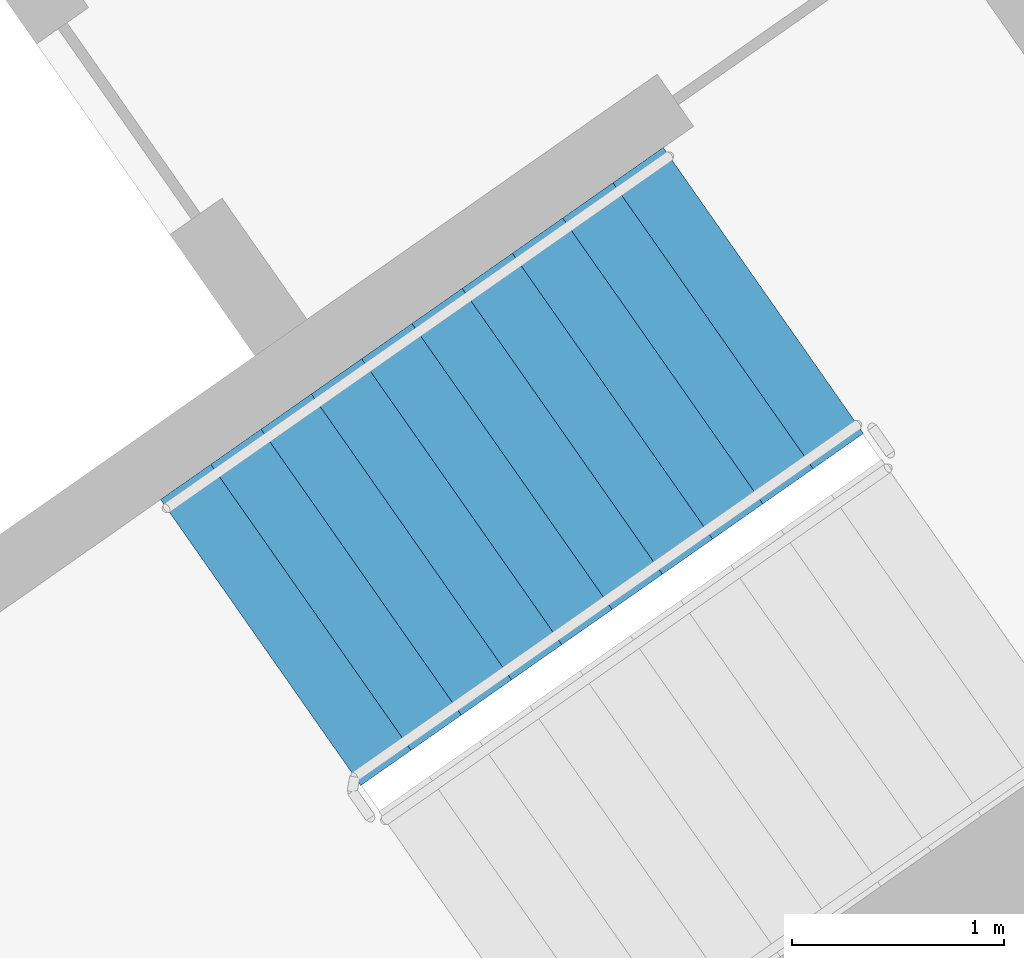
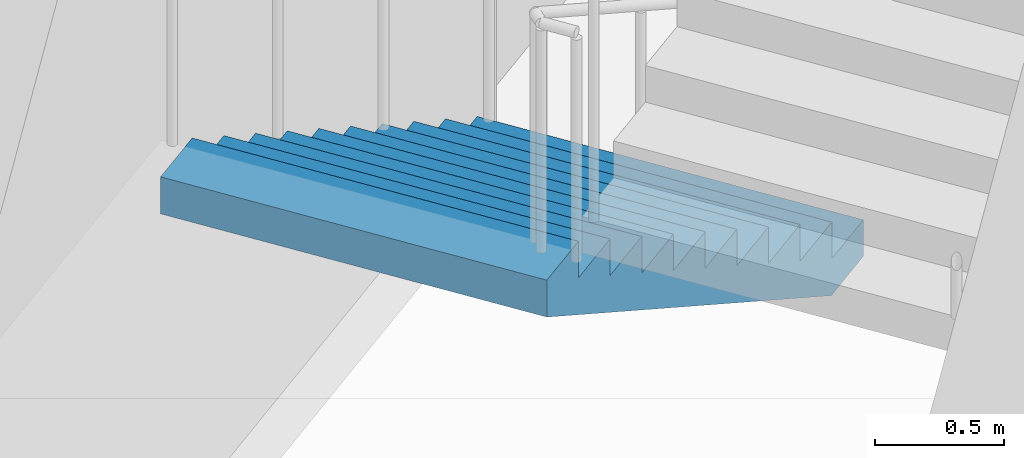
# One storey, part 17 of 33: 1 stair flight, 1 element without a shape of its own.
"""IFC4 building model written with IfcOpenShell, lengths in metres."""

import ifcopenshell
import ifcopenshell.guid

model = None  # the IFC model being written
_history = None  # IfcOwnerHistory: only IFC2X3 demands one
_inside = {}  # id of a spatial element -> (the spatial element, [elements in it])
_under = {}  # id of a project, library or spatial element -> (it, [spatial elements below it])
_declared = {}  # id of a project -> (the project, [libraries it declares])
_typed = {}  # id of a type object -> (the type object, [elements of that type])
_made_of = {}  # id of a material, layer set ... -> (it, [elements and type objects made of it])


def new_model(schema):
    """Start an empty IFC model of exactly this schema.

    Asked for "IFC4X3", IfcOpenShell would pick the latest addendum, in which some entities
    have other attributes; the version numbers below select the first issue.
    IFC2X3 requires an IfcOwnerHistory on every rooted entity: one is made here for all.
    """
    global model, _history
    if schema == "IFC4X3":
        model = ifcopenshell.file(schema_version=(4, 3, 0, 0))
    else:
        model = ifcopenshell.file(schema=schema)
    _inside.clear()
    _under.clear()
    _declared.clear()
    _typed.clear()
    _made_of.clear()
    _history = None
    if model.schema == "IFC2X3":
        org = make("IfcOrganization", Name="unknown")
        user = make(
            "IfcPersonAndOrganization",
            ThePerson=make("IfcPerson", FamilyName="unknown"),
            TheOrganization=org,
        )
        app = make(
            "IfcApplication",
            ApplicationDeveloper=org,
            Version="unknown",
            ApplicationFullName="unknown",
            ApplicationIdentifier="unknown",
        )
        _history = make(
            "IfcOwnerHistory",
            OwningUser=user,
            OwningApplication=app,
            ChangeAction="ADDED",
            CreationDate=0,
        )
    return model


def make(cls, **values):
    """One entity of the class cls with the attributes given. An attribute that is None is left unset."""
    return model.create_entity(
        cls, **{name: value for name, value in values.items() if value is not None}
    )


def rooted(cls, **values):
    """An entity with a GlobalId (a new one), such as an element, a storey or a relation."""
    return make(cls, GlobalId=ifcopenshell.guid.new(), OwnerHistory=_history, **values)


def si_unit(unit_type, name, prefix=None):
    """IfcSIUnit, for example si_unit("LENGTHUNIT", "METRE", prefix="MILLI")."""
    return make("IfcSIUnit", UnitType=unit_type, Prefix=prefix, Name=name)


def assignment(units):
    """IfcUnitAssignment: the units of a project."""
    return None if units is None else make("IfcUnitAssignment", Units=units)


def point(xyz):
    """IfcCartesianPoint."""
    return None if xyz is None else make("IfcCartesianPoint", Coordinates=xyz)


def direction(xyz):
    """IfcDirection."""
    return None if xyz is None else make("IfcDirection", DirectionRatios=xyz)


def frame(location, z_axis=None, x_axis=None):
    """IfcAxis2Placement3D, a coordinate frame: its origin and axes. An axis left out is left unset."""
    return make(
        "IfcAxis2Placement3D",
        Location=point(location),
        Axis=direction(z_axis),
        RefDirection=direction(x_axis),
    )


def origin():
    """The frame at (0, 0, 0) with its axes left unset."""
    return frame((0.0, 0.0, 0.0))


def place(relative_to, where):
    """IfcLocalPlacement: puts the frame where relative to a parent placement (None: the world)."""
    return make(
        "IfcLocalPlacement", PlacementRelTo=relative_to, RelativePlacement=where
    )


def context(
    kind, dimensions, precision=None, world=None, true_north=None, identifier=None
):
    """IfcGeometricRepresentationContext, for example the 3D "Model" context."""
    return make(
        "IfcGeometricRepresentationContext",
        ContextIdentifier=identifier,
        ContextType=kind,
        CoordinateSpaceDimension=dimensions,
        Precision=precision,
        WorldCoordinateSystem=world,
        TrueNorth=true_north,
    )


def subcontext(parent, identifier, kind, view, scale=None):
    """IfcGeometricRepresentationSubContext, for example "Body" below "Model"."""
    return make(
        "IfcGeometricRepresentationSubContext",
        ContextIdentifier=identifier,
        ContextType=kind,
        ParentContext=parent,
        TargetScale=scale,
        TargetView=view,
    )


def project(units=None, contexts=None):
    """IfcProject with its units and contexts."""
    return rooted(
        "IfcProject",
        Name="project",
        RepresentationContexts=contexts,
        UnitsInContext=assignment(units),
    )


def spatial(cls, under=None, at=None, **own):
    """A site, building, storey or space (cls), placed at a placement, below another one or the project."""
    s = rooted(cls, ObjectPlacement=at, **own)
    if under is not None:
        _under.setdefault(under.id(), (under, []))[1].append(s)
    return s


def faces_of(points, faces, orient=None, outer=None):
    """IfcFace entities. A face is a list of loops; a loop is a list of indices into points, from 0.

    orient and outer hold one flag for each loop. By default every Orientation is true, the
    first loop of a face is its IfcFaceOuterBound and the others are IfcFaceBound.
    """
    made = []
    for i, loops in enumerate(faces):
        bounds = []
        for j, loop in enumerate(loops):
            is_outer = j == 0 if outer is None else outer[i][j]
            bounds.append(
                make(
                    "IfcFaceOuterBound" if is_outer else "IfcFaceBound",
                    Bound=make("IfcPolyLoop", Polygon=[points[k] for k in loop]),
                    Orientation=True if orient is None else orient[i][j],
                )
            )
        made.append(make("IfcFace", Bounds=bounds))
    return made


def faceted_brep(points, faces, orient=None, outer=None, voids=None):
    """IfcFacetedBrep: a solid bounded by flat faces; with voids (closed shells), ...WithVoids."""
    shared = [point(p) for p in points]
    hull = make("IfcClosedShell", CfsFaces=faces_of(shared, faces, orient, outer))
    if voids is None:
        return make("IfcFacetedBrep", Outer=hull)
    return make(
        "IfcFacetedBrepWithVoids",
        Outer=hull,
        Voids=[
            make(cls, CfsFaces=faces_of(shared, fs, o, b)) for cls, fs, o, b in voids
        ],
    )


def shape(context_of_items, identifier, shape_type, items):
    """IfcShapeRepresentation: the items that make up one representation, for example the "Body"."""
    return make(
        "IfcShapeRepresentation",
        ContextOfItems=context_of_items,
        RepresentationIdentifier=identifier,
        RepresentationType=shape_type,
        Items=items,
    )


def material(Name=None, Category=None):
    """IfcMaterial."""
    return make("IfcMaterial", Name=Name, Category=Category)


def made_of(thing, what):
    """Note that an element or type object is made of a material, layer set ...; save() writes the relation."""
    if what is not None:
        _made_of.setdefault(what.id(), (what, []))[1].append(thing)
    return thing


def type_object(cls, material=None, **own):
    """A type object (cls), such as IfcWallType, which elements share."""
    return made_of(rooted(cls, **own), material)


def element(
    cls,
    number,
    at=None,
    inside=None,
    cuts=None,
    type_object=None,
    material=None,
    context=None,
    identifier="Body",
    shape_type=None,
    held_by="IfcProductDefinitionShape",
    body=None,
    shapes=None,
    **own,
):
    """One element of the class cls, such as IfcWall. Its Tag is "e" and its number.

    at: its placement. inside: the storey or other place that contains it. cuts: it is an
    opening in that element (IfcRelVoidsElement). A single representation is given by context,
    identifier, shape_type and body (its items); several are given by shapes. held_by: the class
    of the entity that holds the representations. save() writes the other relations.
    """
    e = rooted(cls, Tag="e%d" % number, ObjectPlacement=at, **own)
    if body is not None:
        shapes = [shape(context, identifier, shape_type, body)]
    if shapes is not None:
        e.Representation = make(held_by, Representations=shapes)
    if inside is not None:
        _inside.setdefault(inside.id(), (inside, []))[1].append(e)
    if cuts is not None:
        rooted(
            "IfcRelVoidsElement", RelatingBuildingElement=cuts, RelatedOpeningElement=e
        )
    if type_object is not None:
        _typed.setdefault(type_object.id(), (type_object, []))[1].append(e)
    return made_of(e, material)


def aggregate(whole, parts):
    """IfcRelAggregates: a whole, such as a stair, and the parts it consists of."""
    return rooted("IfcRelAggregates", RelatingObject=whole, RelatedObjects=parts)


def save(model, path):
    """Write the relations noted so far, then the file.

    IfcRelAggregates (storeys below a building ...), IfcRelContainedInSpatialStructure (elements
    in a storey), IfcRelDefinesByType, IfcRelAssociatesMaterial and IfcRelDeclares: one each for
    every whole, place, type object, material and project.
    """
    for whole, parts in _under.values():
        aggregate(whole, parts)
    for where, things in _inside.values():
        rooted(
            "IfcRelContainedInSpatialStructure",
            RelatedElements=things,
            RelatingStructure=where,
        )
    for kind, things in _typed.values():
        rooted("IfcRelDefinesByType", RelatedObjects=things, RelatingType=kind)
    for what, things in _made_of.values():
        rooted("IfcRelAssociatesMaterial", RelatedObjects=things, RelatingMaterial=what)
    for by, libraries in _declared.values():
        rooted("IfcRelDeclares", RelatingContext=by, RelatedDefinitions=libraries)
    model.write(path)


model = new_model("IFC4")

# Units and contexts
model_context = context("Model", 3, precision=1e-05, world=origin(), true_north=direction((0.0, 1.0)))
body_context = subcontext(model_context, "Body", "Model", "MODEL_VIEW")
ifc_project = project(units=[si_unit("LENGTHUNIT", "METRE"), si_unit("AREAUNIT", "SQUARE_METRE"), si_unit("VOLUMEUNIT", "CUBIC_METRE"), si_unit("PLANEANGLEUNIT", "RADIAN"), si_unit("MASSUNIT", "GRAM", prefix="KILO")], contexts=[model_context])

# Site, building, storey
site_placement = place(None, origin())
site = spatial("IfcSite", under=ifc_project, at=site_placement, CompositionType="ELEMENT")
building_placement = place(site_placement, origin())
building = spatial("IfcBuilding", under=site, at=building_placement, Name="Qamariyya Broadcast Tower", CompositionType="ELEMENT")
storey_placement = place(building_placement, frame((0.0, 0.0, 78.5)))
storey = spatial("IfcBuildingStorey", under=building, at=storey_placement, Name="L16", CompositionType="ELEMENT", Elevation=78.5)

# Stair, stair flight
ifc_material = material(Name="Concrete C50/60", Category="concrete")
stair_type = type_object("IfcStairType", Name="Exit stair 22 risers of 173 mm", PredefinedType="HALF_TURN_STAIR", material=ifc_material)
stair_placement = place(storey_placement, origin())
stair = element("IfcStair", 1, at=stair_placement, inside=storey, type_object=stair_type, Name="L16 Stair E1", PredefinedType="HALF_TURN_STAIR")
stair_flight_type = type_object("IfcStairFlightType", Name="Exit stair flight 11 risers of 173 mm", PredefinedType="STRAIGHT", material=ifc_material)
stair_flight_placement = place(storey_placement, frame((46.036376953125, -55.508056640625, 0.0), z_axis=(0.0, 0.0, 1.0), x_axis=(-0.819152044289, -0.573576436351, 0.0)))
stair_flight = element("IfcStairFlight", 2, at=stair_flight_placement, type_object=stair_flight_type, Name="ST-E1 flight 1", NumberOfRisers=11, NumberOfTreads=10, PredefinedType="STRAIGHT", RiserHeight=0.172727273, TreadLength=0.29, context=body_context, shape_type="Brep", body=[
    faceted_brep([(0.0, 0.824951171875, 0.0), (0.0, 0.824951171875, 0.172607421875), (0.2900390625, 0.824951171875, 0.172607421875), (0.2900390625, 0.824951171875, 0.345458984375), (0.580078125, 0.824951171875, 0.345458984375), (0.580078125, 0.824951171875, 0.51806640625), (0.8701171875, 0.824951171875, 0.51806640625), (0.8701171875, 0.824951171875, 0.69091796875), (1.159912109375, 0.824951171875, 0.69091796875), (1.159912109375, 0.824951171875, 0.863525390625), (1.449951171875, 0.824951171875, 0.863525390625), (1.449951171875, 0.824951171875, 1.036376953125), (1.739990234375, 0.824951171875, 1.036376953125), (1.739990234375, 0.824951171875, 1.208984375), (2.030029296875, 0.824951171875, 1.208984375), (2.030029296875, 0.824951171875, 1.3818359375), (2.320068359375, 0.824951171875, 1.3818359375), (2.320068359375, 0.824951171875, 1.554443359375), (2.610107421875, 0.824951171875, 1.554443359375), (2.610107421875, 0.824951171875, 1.727294921875), (2.89990234375, 0.824951171875, 1.727294921875), (2.89990234375, 0.824951171875, 1.552734375), (0.29296875, 0.824951171875, 0.0), (0.29296875, -0.824951171875, 0.0), (2.89990234375, -0.824951171875, 1.552734375), (2.89990234375, -0.824951171875, 1.727294921875), (2.610107421875, -0.824951171875, 1.727294921875), (2.610107421875, -0.824951171875, 1.554443359375), (2.320068359375, -0.824951171875, 1.554443359375), (2.320068359375, -0.824951171875, 1.3818359375), (2.030029296875, -0.824951171875, 1.3818359375), (2.030029296875, -0.824951171875, 1.208984375), (1.739990234375, -0.824951171875, 1.208984375), (1.739990234375, -0.824951171875, 1.036376953125), (1.449951171875, -0.824951171875, 1.036376953125), (1.449951171875, -0.824951171875, 0.863525390625), (1.159912109375, -0.824951171875, 0.863525390625), (1.159912109375, -0.824951171875, 0.69091796875), (0.8701171875, -0.824951171875, 0.69091796875), (0.8701171875, -0.824951171875, 0.51806640625), (0.580078125, -0.824951171875, 0.51806640625), (0.580078125, -0.824951171875, 0.345458984375), (0.2900390625, -0.824951171875, 0.345458984375), (0.2900390625, -0.824951171875, 0.172607421875), (0.0, -0.824951171875, 0.172607421875), (0.0, -0.824951171875, 0.0), (0.0, 0.10009765625, 0.0), (0.0, 0.086669921875, 0.0), (0.0, 0.0732421875, 0.0), (0.0, 0.06005859375, 0.0), (0.0, 0.046630859375, 0.0), (0.0, 0.033447265625, 0.0), (0.0, 0.02001953125, 0.0), (0.0, 0.006591796875, 0.0), (0.0, -0.006591796875, 0.0), (0.0, -0.02001953125, 0.0), (0.0, -0.033447265625, 0.0), (0.0, -0.046630859375, 0.0), (0.0, -0.06005859375, 0.0), (0.0, -0.0732421875, 0.0), (0.0, -0.086669921875, 0.0), (0.0, -0.10009765625, 0.0), (0.0, -0.10009765625, 0.172607421875), (0.0, -0.086669921875, 0.172607421875), (0.0, -0.0732421875, 0.172607421875), (0.0, -0.06005859375, 0.172607421875), (0.0, -0.046630859375, 0.172607421875), (0.0, -0.033447265625, 0.172607421875), (0.0, -0.02001953125, 0.172607421875), (0.0, -0.006591796875, 0.172607421875), (0.0, 0.006591796875, 0.172607421875), (0.0, 0.02001953125, 0.172607421875), (0.0, 0.033447265625, 0.172607421875), (0.0, 0.046630859375, 0.172607421875), (0.0, 0.06005859375, 0.172607421875), (0.0, 0.0732421875, 0.172607421875), (0.0, 0.086669921875, 0.172607421875), (0.0, 0.10009765625, 0.172607421875), (0.2900390625, -0.10009765625, 0.172607421875), (0.2900390625, -0.086669921875, 0.172607421875), (0.2900390625, -0.0732421875, 0.172607421875), (0.2900390625, -0.06005859375, 0.172607421875), (0.2900390625, -0.046630859375, 0.172607421875), (0.2900390625, -0.033447265625, 0.172607421875), (0.2900390625, -0.02001953125, 0.172607421875), (0.2900390625, -0.006591796875, 0.172607421875), (0.2900390625, 0.006591796875, 0.172607421875), (0.2900390625, 0.02001953125, 0.172607421875), (0.2900390625, 0.033447265625, 0.172607421875), (0.2900390625, 0.046630859375, 0.172607421875), (0.2900390625, 0.06005859375, 0.172607421875), (0.2900390625, 0.0732421875, 0.172607421875), (0.2900390625, 0.086669921875, 0.172607421875), (0.2900390625, 0.10009765625, 0.172607421875), (0.2900390625, -0.10009765625, 0.345458984375), (0.2900390625, -0.086669921875, 0.345458984375), (0.2900390625, -0.0732421875, 0.345458984375), (0.2900390625, -0.06005859375, 0.345458984375), (0.2900390625, -0.046630859375, 0.345458984375), (0.2900390625, -0.033447265625, 0.345458984375), (0.2900390625, -0.02001953125, 0.345458984375), (0.2900390625, -0.006591796875, 0.345458984375), (0.2900390625, 0.006591796875, 0.345458984375), (0.2900390625, 0.02001953125, 0.345458984375), (0.2900390625, 0.033447265625, 0.345458984375), (0.2900390625, 0.046630859375, 0.345458984375), (0.2900390625, 0.06005859375, 0.345458984375), (0.2900390625, 0.0732421875, 0.345458984375), (0.2900390625, 0.086669921875, 0.345458984375), (0.2900390625, 0.10009765625, 0.345458984375), (0.580078125, -0.10009765625, 0.345458984375), (0.580078125, -0.086669921875, 0.345458984375), (0.580078125, -0.0732421875, 0.345458984375), (0.580078125, -0.06005859375, 0.345458984375), (0.580078125, -0.046630859375, 0.345458984375), (0.580078125, -0.033447265625, 0.345458984375), (0.580078125, -0.02001953125, 0.345458984375), (0.580078125, -0.006591796875, 0.345458984375), (0.580078125, 0.006591796875, 0.345458984375), (0.580078125, 0.02001953125, 0.345458984375), (0.580078125, 0.033447265625, 0.345458984375), (0.580078125, 0.046630859375, 0.345458984375), (0.580078125, 0.06005859375, 0.345458984375), (0.580078125, 0.0732421875, 0.345458984375), (0.580078125, 0.086669921875, 0.345458984375), (0.580078125, 0.10009765625, 0.345458984375), (0.580078125, -0.10009765625, 0.51806640625), (0.580078125, -0.086669921875, 0.51806640625), (0.580078125, -0.0732421875, 0.51806640625), (0.580078125, -0.06005859375, 0.51806640625), (0.580078125, -0.046630859375, 0.51806640625), (0.580078125, -0.033447265625, 0.51806640625), (0.580078125, -0.02001953125, 0.51806640625), (0.580078125, -0.006591796875, 0.51806640625), (0.580078125, 0.006591796875, 0.51806640625), (0.580078125, 0.02001953125, 0.51806640625), (0.580078125, 0.033447265625, 0.51806640625), (0.580078125, 0.046630859375, 0.51806640625), (0.580078125, 0.06005859375, 0.51806640625), (0.580078125, 0.0732421875, 0.51806640625), (0.580078125, 0.086669921875, 0.51806640625), (0.580078125, 0.10009765625, 0.51806640625), (0.8701171875, -0.10009765625, 0.51806640625), (0.8701171875, -0.086669921875, 0.51806640625), (0.8701171875, -0.0732421875, 0.51806640625), (0.8701171875, -0.06005859375, 0.51806640625), (0.8701171875, -0.046630859375, 0.51806640625), (0.8701171875, -0.033447265625, 0.51806640625), (0.8701171875, -0.02001953125, 0.51806640625), (0.8701171875, -0.006591796875, 0.51806640625), (0.8701171875, 0.006591796875, 0.51806640625), (0.8701171875, 0.02001953125, 0.51806640625), (0.8701171875, 0.033447265625, 0.51806640625), (0.8701171875, 0.046630859375, 0.51806640625), (0.8701171875, 0.06005859375, 0.51806640625), (0.8701171875, 0.0732421875, 0.51806640625), (0.8701171875, 0.086669921875, 0.51806640625), (0.8701171875, 0.10009765625, 0.51806640625), (0.8701171875, -0.10009765625, 0.69091796875), (0.8701171875, -0.086669921875, 0.69091796875), (0.8701171875, -0.0732421875, 0.69091796875), (0.8701171875, -0.06005859375, 0.69091796875), (0.8701171875, -0.046630859375, 0.69091796875), (0.8701171875, -0.033447265625, 0.69091796875), (0.8701171875, -0.02001953125, 0.69091796875), (0.8701171875, -0.006591796875, 0.69091796875), (0.8701171875, 0.006591796875, 0.69091796875), (0.8701171875, 0.02001953125, 0.69091796875), (0.8701171875, 0.033447265625, 0.69091796875), (0.8701171875, 0.046630859375, 0.69091796875), (0.8701171875, 0.06005859375, 0.69091796875), (0.8701171875, 0.0732421875, 0.69091796875), (0.8701171875, 0.086669921875, 0.69091796875), (0.8701171875, 0.10009765625, 0.69091796875), (1.159912109375, -0.10009765625, 0.69091796875), (1.159912109375, -0.086669921875, 0.69091796875), (1.159912109375, -0.0732421875, 0.69091796875), (1.159912109375, -0.06005859375, 0.69091796875), (1.159912109375, -0.046630859375, 0.69091796875), (1.159912109375, -0.033447265625, 0.69091796875), (1.159912109375, -0.02001953125, 0.69091796875), (1.159912109375, -0.006591796875, 0.69091796875), (1.159912109375, 0.006591796875, 0.69091796875), (1.159912109375, 0.02001953125, 0.69091796875), (1.159912109375, 0.033447265625, 0.69091796875), (1.159912109375, 0.046630859375, 0.69091796875), (1.159912109375, 0.06005859375, 0.69091796875), (1.159912109375, 0.0732421875, 0.69091796875), (1.159912109375, 0.086669921875, 0.69091796875), (1.159912109375, 0.10009765625, 0.69091796875), (1.159912109375, -0.10009765625, 0.863525390625), (1.159912109375, -0.086669921875, 0.863525390625), (1.159912109375, -0.0732421875, 0.863525390625), (1.159912109375, -0.06005859375, 0.863525390625), (1.159912109375, -0.046630859375, 0.863525390625), (1.159912109375, -0.033447265625, 0.863525390625), (1.159912109375, -0.02001953125, 0.863525390625), (1.159912109375, -0.006591796875, 0.863525390625), (1.159912109375, 0.006591796875, 0.863525390625), (1.159912109375, 0.02001953125, 0.863525390625), (1.159912109375, 0.033447265625, 0.863525390625), (1.159912109375, 0.046630859375, 0.863525390625), (1.159912109375, 0.06005859375, 0.863525390625), (1.159912109375, 0.0732421875, 0.863525390625), (1.159912109375, 0.086669921875, 0.863525390625), (1.159912109375, 0.10009765625, 0.863525390625), (1.449951171875, -0.10009765625, 0.863525390625), (1.449951171875, -0.086669921875, 0.863525390625), (1.449951171875, -0.0732421875, 0.863525390625), (1.449951171875, -0.06005859375, 0.863525390625), (1.449951171875, -0.046630859375, 0.863525390625), (1.449951171875, -0.033447265625, 0.863525390625), (1.449951171875, -0.02001953125, 0.863525390625), (1.449951171875, -0.006591796875, 0.863525390625), (1.449951171875, 0.006591796875, 0.863525390625), (1.449951171875, 0.02001953125, 0.863525390625), (1.449951171875, 0.033447265625, 0.863525390625), (1.449951171875, 0.046630859375, 0.863525390625), (1.449951171875, 0.06005859375, 0.863525390625), (1.449951171875, 0.0732421875, 0.863525390625), (1.449951171875, 0.086669921875, 0.863525390625), (1.449951171875, 0.10009765625, 0.863525390625), (1.449951171875, -0.10009765625, 1.036376953125), (1.449951171875, -0.086669921875, 1.036376953125), (1.449951171875, -0.0732421875, 1.036376953125), (1.449951171875, -0.06005859375, 1.036376953125), (1.449951171875, -0.046630859375, 1.036376953125), (1.449951171875, -0.033447265625, 1.036376953125), (1.449951171875, -0.02001953125, 1.036376953125), (1.449951171875, -0.006591796875, 1.036376953125), (1.449951171875, 0.006591796875, 1.036376953125), (1.449951171875, 0.02001953125, 1.036376953125), (1.449951171875, 0.033447265625, 1.036376953125), (1.449951171875, 0.046630859375, 1.036376953125), (1.449951171875, 0.06005859375, 1.036376953125), (1.449951171875, 0.0732421875, 1.036376953125), (1.449951171875, 0.086669921875, 1.036376953125), (1.449951171875, 0.10009765625, 1.036376953125), (1.739990234375, -0.10009765625, 1.036376953125), (1.739990234375, -0.086669921875, 1.036376953125), (1.739990234375, -0.0732421875, 1.036376953125), (1.739990234375, -0.06005859375, 1.036376953125), (1.739990234375, -0.046630859375, 1.036376953125), (1.739990234375, -0.033447265625, 1.036376953125), (1.739990234375, -0.02001953125, 1.036376953125), (1.739990234375, -0.006591796875, 1.036376953125), (1.739990234375, 0.006591796875, 1.036376953125), (1.739990234375, 0.02001953125, 1.036376953125), (1.739990234375, 0.033447265625, 1.036376953125), (1.739990234375, 0.046630859375, 1.036376953125), (1.739990234375, 0.06005859375, 1.036376953125), (1.739990234375, 0.0732421875, 1.036376953125), (1.739990234375, 0.086669921875, 1.036376953125), (1.739990234375, 0.10009765625, 1.036376953125), (1.739990234375, -0.10009765625, 1.208984375), (1.739990234375, -0.086669921875, 1.208984375), (1.739990234375, -0.0732421875, 1.208984375), (1.739990234375, -0.06005859375, 1.208984375), (1.739990234375, -0.046630859375, 1.208984375), (1.739990234375, -0.033447265625, 1.208984375), (1.739990234375, -0.02001953125, 1.208984375), (1.739990234375, -0.006591796875, 1.208984375), (1.739990234375, 0.006591796875, 1.208984375), (1.739990234375, 0.02001953125, 1.208984375), (1.739990234375, 0.033447265625, 1.208984375), (1.739990234375, 0.046630859375, 1.208984375), (1.739990234375, 0.06005859375, 1.208984375), (1.739990234375, 0.0732421875, 1.208984375), (1.739990234375, 0.086669921875, 1.208984375), (1.739990234375, 0.10009765625, 1.208984375), (2.030029296875, -0.10009765625, 1.208984375), (2.030029296875, -0.086669921875, 1.208984375), (2.030029296875, -0.0732421875, 1.208984375), (2.030029296875, -0.06005859375, 1.208984375), (2.030029296875, -0.046630859375, 1.208984375), (2.030029296875, -0.033447265625, 1.208984375), (2.030029296875, -0.02001953125, 1.208984375), (2.030029296875, -0.006591796875, 1.208984375), (2.030029296875, 0.006591796875, 1.208984375), (2.030029296875, 0.02001953125, 1.208984375), (2.030029296875, 0.033447265625, 1.208984375), (2.030029296875, 0.046630859375, 1.208984375), (2.030029296875, 0.06005859375, 1.208984375), (2.030029296875, 0.0732421875, 1.208984375), (2.030029296875, 0.086669921875, 1.208984375), (2.030029296875, 0.10009765625, 1.208984375), (2.030029296875, -0.10009765625, 1.3818359375), (2.030029296875, -0.086669921875, 1.3818359375), (2.030029296875, -0.0732421875, 1.3818359375), (2.030029296875, -0.06005859375, 1.3818359375), (2.030029296875, -0.046630859375, 1.3818359375), (2.030029296875, -0.033447265625, 1.3818359375), (2.030029296875, -0.02001953125, 1.3818359375), (2.030029296875, -0.006591796875, 1.3818359375), (2.030029296875, 0.006591796875, 1.3818359375), (2.030029296875, 0.02001953125, 1.3818359375), (2.030029296875, 0.033447265625, 1.3818359375), (2.030029296875, 0.046630859375, 1.3818359375), (2.030029296875, 0.06005859375, 1.3818359375), (2.030029296875, 0.0732421875, 1.3818359375), (2.030029296875, 0.086669921875, 1.3818359375), (2.030029296875, 0.10009765625, 1.3818359375), (2.320068359375, -0.10009765625, 1.3818359375), (2.320068359375, -0.086669921875, 1.3818359375), (2.320068359375, -0.0732421875, 1.3818359375), (2.320068359375, -0.06005859375, 1.3818359375), (2.320068359375, -0.046630859375, 1.3818359375), (2.320068359375, -0.033447265625, 1.3818359375), (2.320068359375, -0.02001953125, 1.3818359375), (2.320068359375, -0.006591796875, 1.3818359375), (2.320068359375, 0.006591796875, 1.3818359375), (2.320068359375, 0.02001953125, 1.3818359375), (2.320068359375, 0.033447265625, 1.3818359375), (2.320068359375, 0.046630859375, 1.3818359375), (2.320068359375, 0.06005859375, 1.3818359375), (2.320068359375, 0.0732421875, 1.3818359375), (2.320068359375, 0.086669921875, 1.3818359375), (2.320068359375, 0.10009765625, 1.3818359375), (2.320068359375, -0.10009765625, 1.554443359375), (2.320068359375, -0.086669921875, 1.554443359375), (2.320068359375, -0.0732421875, 1.554443359375), (2.320068359375, -0.06005859375, 1.554443359375), (2.320068359375, -0.046630859375, 1.554443359375), (2.320068359375, -0.033447265625, 1.554443359375), (2.320068359375, -0.02001953125, 1.554443359375), (2.320068359375, -0.006591796875, 1.554443359375), (2.320068359375, 0.006591796875, 1.554443359375), (2.320068359375, 0.02001953125, 1.554443359375), (2.320068359375, 0.033447265625, 1.554443359375), (2.320068359375, 0.046630859375, 1.554443359375), (2.320068359375, 0.06005859375, 1.554443359375), (2.320068359375, 0.0732421875, 1.554443359375), (2.320068359375, 0.086669921875, 1.554443359375), (2.320068359375, 0.10009765625, 1.554443359375), (2.610107421875, -0.10009765625, 1.554443359375), (2.610107421875, -0.086669921875, 1.554443359375), (2.610107421875, -0.0732421875, 1.554443359375), (2.610107421875, -0.06005859375, 1.554443359375), (2.610107421875, -0.046630859375, 1.554443359375), (2.610107421875, -0.033447265625, 1.554443359375), (2.610107421875, -0.02001953125, 1.554443359375), (2.610107421875, -0.006591796875, 1.554443359375), (2.610107421875, 0.006591796875, 1.554443359375), (2.610107421875, 0.02001953125, 1.554443359375), (2.610107421875, 0.033447265625, 1.554443359375), (2.610107421875, 0.046630859375, 1.554443359375), (2.610107421875, 0.06005859375, 1.554443359375), (2.610107421875, 0.0732421875, 1.554443359375), (2.610107421875, 0.086669921875, 1.554443359375), (2.610107421875, 0.10009765625, 1.554443359375), (2.610107421875, -0.10009765625, 1.727294921875), (2.610107421875, -0.086669921875, 1.727294921875), (2.610107421875, -0.0732421875, 1.727294921875), (2.610107421875, -0.06005859375, 1.727294921875), (2.610107421875, -0.046630859375, 1.727294921875), (2.610107421875, -0.033447265625, 1.727294921875), (2.610107421875, -0.02001953125, 1.727294921875), (2.610107421875, -0.006591796875, 1.727294921875), (2.610107421875, 0.006591796875, 1.727294921875), (2.610107421875, 0.02001953125, 1.727294921875), (2.610107421875, 0.033447265625, 1.727294921875), (2.610107421875, 0.046630859375, 1.727294921875), (2.610107421875, 0.06005859375, 1.727294921875), (2.610107421875, 0.0732421875, 1.727294921875), (2.610107421875, 0.086669921875, 1.727294921875), (2.610107421875, 0.10009765625, 1.727294921875), (2.89990234375, -0.10009765625, 1.727294921875), (2.89990234375, -0.086669921875, 1.727294921875), (2.89990234375, -0.0732421875, 1.727294921875), (2.89990234375, -0.06005859375, 1.727294921875), (2.89990234375, -0.046630859375, 1.727294921875), (2.89990234375, -0.033447265625, 1.727294921875), (2.89990234375, -0.02001953125, 1.727294921875), (2.89990234375, -0.006591796875, 1.727294921875), (2.89990234375, 0.006591796875, 1.727294921875), (2.89990234375, 0.02001953125, 1.727294921875), (2.89990234375, 0.033447265625, 1.727294921875), (2.89990234375, 0.046630859375, 1.727294921875), (2.89990234375, 0.06005859375, 1.727294921875), (2.89990234375, 0.0732421875, 1.727294921875), (2.89990234375, 0.086669921875, 1.727294921875), (2.89990234375, 0.10009765625, 1.727294921875), (2.89990234375, -0.10009765625, 1.552734375), (2.89990234375, -0.086669921875, 1.552734375), (2.89990234375, -0.0732421875, 1.552734375), (2.89990234375, -0.06005859375, 1.552734375), (2.89990234375, -0.046630859375, 1.552734375), (2.89990234375, -0.033447265625, 1.552734375), (2.89990234375, -0.02001953125, 1.552734375), (2.89990234375, -0.006591796875, 1.552734375), (2.89990234375, 0.006591796875, 1.552734375), (2.89990234375, 0.02001953125, 1.552734375), (2.89990234375, 0.033447265625, 1.552734375), (2.89990234375, 0.046630859375, 1.552734375), (2.89990234375, 0.06005859375, 1.552734375), (2.89990234375, 0.0732421875, 1.552734375), (2.89990234375, 0.086669921875, 1.552734375), (2.89990234375, 0.10009765625, 1.552734375), (0.29296875, -0.10009765625, 0.0), (0.29296875, -0.086669921875, 0.0), (0.29296875, -0.0732421875, 0.0), (0.29296875, -0.06005859375, 0.0), (0.29296875, -0.046630859375, 0.0), (0.29296875, -0.033447265625, 0.0), (0.29296875, -0.02001953125, 0.0), (0.29296875, -0.006591796875, 0.0), (0.29296875, 0.006591796875, 0.0), (0.29296875, 0.02001953125, 0.0), (0.29296875, 0.033447265625, 0.0), (0.29296875, 0.046630859375, 0.0), (0.29296875, 0.06005859375, 0.0), (0.29296875, 0.0732421875, 0.0), (0.29296875, 0.086669921875, 0.0), (0.29296875, 0.10009765625, 0.0)], [[[0, 1, 2, 3, 4, 5, 6, 7, 8, 9, 10, 11, 12, 13, 14, 15, 16, 17, 18, 19, 20, 21, 22]], [[23, 24, 25, 26, 27, 28, 29, 30, 31, 32, 33, 34, 35, 36, 37, 38, 39, 40, 41, 42, 43, 44, 45]], [[0, 46, 47, 48, 49, 50, 51, 52, 53, 54, 55, 56, 57, 58, 59, 60, 61, 45, 44, 62, 63, 64, 65, 66, 67, 68, 69, 70, 71, 72, 73, 74, 75, 76, 77, 1]], [[1, 77, 76, 75, 74, 73, 72, 71, 70, 69, 68, 67, 66, 65, 64, 63, 62, 44, 43, 78, 79, 80, 81, 82, 83, 84, 85, 86, 87, 88, 89, 90, 91, 92, 93, 2]], [[2, 93, 92, 91, 90, 89, 88, 87, 86, 85, 84, 83, 82, 81, 80, 79, 78, 43, 42, 94, 95, 96, 97, 98, 99, 100, 101, 102, 103, 104, 105, 106, 107, 108, 109, 3]], [[3, 109, 108, 107, 106, 105, 104, 103, 102, 101, 100, 99, 98, 97, 96, 95, 94, 42, 41, 110, 111, 112, 113, 114, 115, 116, 117, 118, 119, 120, 121, 122, 123, 124, 125, 4]], [[4, 125, 124, 123, 122, 121, 120, 119, 118, 117, 116, 115, 114, 113, 112, 111, 110, 41, 40, 126, 127, 128, 129, 130, 131, 132, 133, 134, 135, 136, 137, 138, 139, 140, 141, 5]], [[5, 141, 140, 139, 138, 137, 136, 135, 134, 133, 132, 131, 130, 129, 128, 127, 126, 40, 39, 142, 143, 144, 145, 146, 147, 148, 149, 150, 151, 152, 153, 154, 155, 156, 157, 6]], [[6, 157, 156, 155, 154, 153, 152, 151, 150, 149, 148, 147, 146, 145, 144, 143, 142, 39, 38, 158, 159, 160, 161, 162, 163, 164, 165, 166, 167, 168, 169, 170, 171, 172, 173, 7]], [[7, 173, 172, 171, 170, 169, 168, 167, 166, 165, 164, 163, 162, 161, 160, 159, 158, 38, 37, 174, 175, 176, 177, 178, 179, 180, 181, 182, 183, 184, 185, 186, 187, 188, 189, 8]], [[8, 189, 188, 187, 186, 185, 184, 183, 182, 181, 180, 179, 178, 177, 176, 175, 174, 37, 36, 190, 191, 192, 193, 194, 195, 196, 197, 198, 199, 200, 201, 202, 203, 204, 205, 9]], [[9, 205, 204, 203, 202, 201, 200, 199, 198, 197, 196, 195, 194, 193, 192, 191, 190, 36, 35, 206, 207, 208, 209, 210, 211, 212, 213, 214, 215, 216, 217, 218, 219, 220, 221, 10]], [[10, 221, 220, 219, 218, 217, 216, 215, 214, 213, 212, 211, 210, 209, 208, 207, 206, 35, 34, 222, 223, 224, 225, 226, 227, 228, 229, 230, 231, 232, 233, 234, 235, 236, 237, 11]], [[11, 237, 236, 235, 234, 233, 232, 231, 230, 229, 228, 227, 226, 225, 224, 223, 222, 34, 33, 238, 239, 240, 241, 242, 243, 244, 245, 246, 247, 248, 249, 250, 251, 252, 253, 12]], [[12, 253, 252, 251, 250, 249, 248, 247, 246, 245, 244, 243, 242, 241, 240, 239, 238, 33, 32, 254, 255, 256, 257, 258, 259, 260, 261, 262, 263, 264, 265, 266, 267, 268, 269, 13]], [[13, 269, 268, 267, 266, 265, 264, 263, 262, 261, 260, 259, 258, 257, 256, 255, 254, 32, 31, 270, 271, 272, 273, 274, 275, 276, 277, 278, 279, 280, 281, 282, 283, 284, 285, 14]], [[14, 285, 284, 283, 282, 281, 280, 279, 278, 277, 276, 275, 274, 273, 272, 271, 270, 31, 30, 286, 287, 288, 289, 290, 291, 292, 293, 294, 295, 296, 297, 298, 299, 300, 301, 15]], [[15, 301, 300, 299, 298, 297, 296, 295, 294, 293, 292, 291, 290, 289, 288, 287, 286, 30, 29, 302, 303, 304, 305, 306, 307, 308, 309, 310, 311, 312, 313, 314, 315, 316, 317, 16]], [[16, 317, 316, 315, 314, 313, 312, 311, 310, 309, 308, 307, 306, 305, 304, 303, 302, 29, 28, 318, 319, 320, 321, 322, 323, 324, 325, 326, 327, 328, 329, 330, 331, 332, 333, 17]], [[17, 333, 332, 331, 330, 329, 328, 327, 326, 325, 324, 323, 322, 321, 320, 319, 318, 28, 27, 334, 335, 336, 337, 338, 339, 340, 341, 342, 343, 344, 345, 346, 347, 348, 349, 18]], [[18, 349, 348, 347, 346, 345, 344, 343, 342, 341, 340, 339, 338, 337, 336, 335, 334, 27, 26, 350, 351, 352, 353, 354, 355, 356, 357, 358, 359, 360, 361, 362, 363, 364, 365, 19]], [[19, 365, 364, 363, 362, 361, 360, 359, 358, 357, 356, 355, 354, 353, 352, 351, 350, 26, 25, 366, 367, 368, 369, 370, 371, 372, 373, 374, 375, 376, 377, 378, 379, 380, 381, 20]], [[20, 381, 380, 379, 378, 377, 376, 375, 374, 373, 372, 371, 370, 369, 368, 367, 366, 25, 24, 382, 383, 384, 385, 386, 387, 388, 389, 390, 391, 392, 393, 394, 395, 396, 397, 21]], [[21, 397, 396, 395, 394, 393, 392, 391, 390, 389, 388, 387, 386, 385, 384, 383, 382, 24, 23, 398, 399, 400, 401, 402, 403, 404, 405, 406, 407, 408, 409, 410, 411, 412, 413, 22]], [[22, 413, 412, 411, 410, 409, 408, 407, 406, 405, 404, 403, 402, 401, 400, 399, 398, 23, 45, 61, 60, 59, 58, 57, 56, 55, 54, 53, 52, 51, 50, 49, 48, 47, 46, 0]]]),
])
aggregate(stair, [stair_flight])

save(model, "model.ifc")
